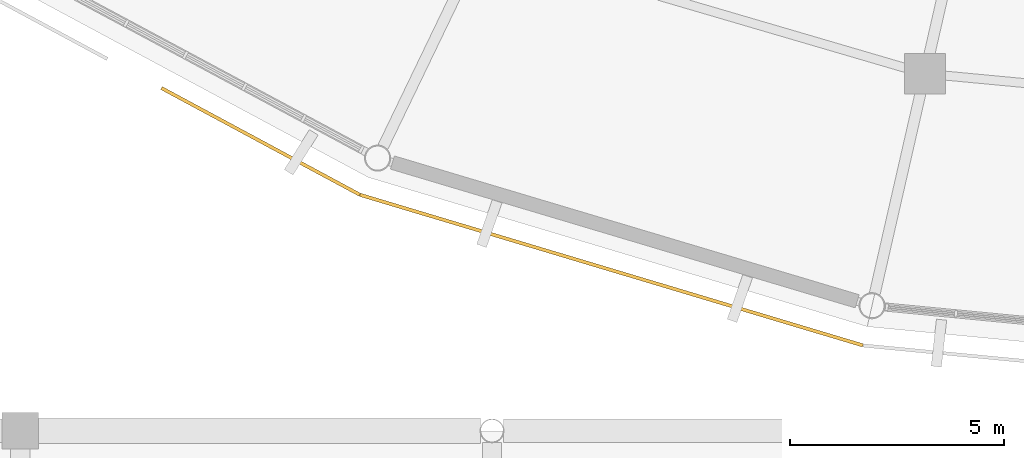
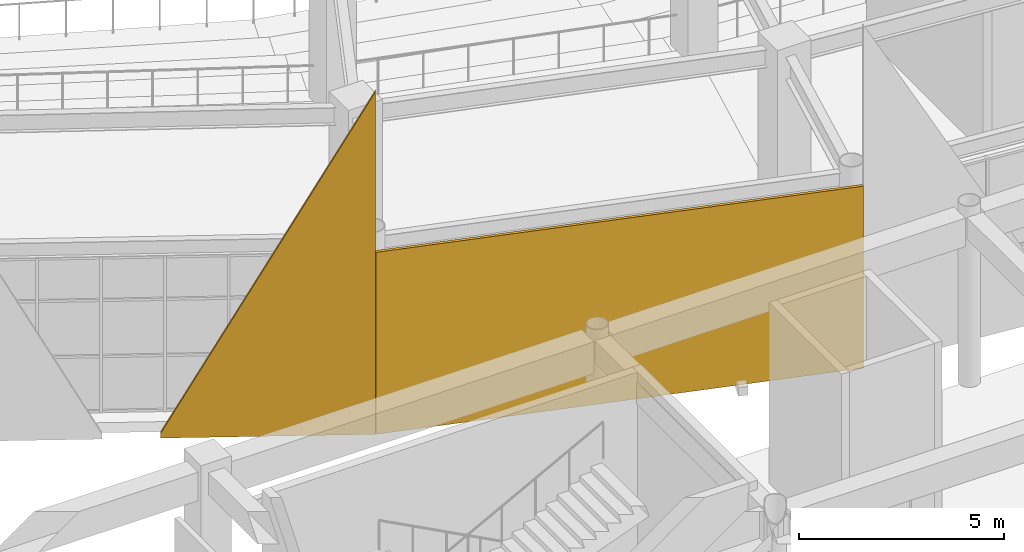
# One storey, part 93 of 120: 2 coverings.
"""IFC4 building model written with IfcOpenShell, lengths in metres."""

from ifc_helpers import new_model, si_unit, direction, frame, frame_2d, origin, place, context, subcontext, project, spatial, polyline, rectangle, outline, extrude, material, layer, layer_set, type_object, element, save


model = new_model("IFC4")

# Units and contexts
model_context = context("Model", 3, precision=1e-05, world=origin(), true_north=direction((0.0, 1.0)))
body_context = subcontext(model_context, "Body", "Model", "MODEL_VIEW")
ifc_project = project(units=[si_unit("LENGTHUNIT", "METRE"), si_unit("AREAUNIT", "SQUARE_METRE"), si_unit("VOLUMEUNIT", "CUBIC_METRE"), si_unit("PLANEANGLEUNIT", "RADIAN"), si_unit("MASSUNIT", "GRAM", prefix="KILO")], contexts=[model_context])

# Site, building, storey
site_placement = place(None, origin())
site = spatial("IfcSite", under=ifc_project, at=site_placement, CompositionType="ELEMENT")
building_placement = place(site_placement, origin())
building = spatial("IfcBuilding", under=site, at=building_placement, Name="Cuetzalor Civic Arena", CompositionType="ELEMENT")
storey_placement = place(building_placement, frame((0.0, 0.0, 6.0)))
storey = spatial("IfcBuildingStorey", under=building, at=storey_placement, Name="L01", CompositionType="ELEMENT", Elevation=6.0)

# Coverings
ifc_material = material(Name="Terracotta-red perforated anodised aluminium panel", Category="masonry")
ifc_layer = layer(ifc_material, 0.080078125)
ifc_layer_set = layer_set([ifc_layer], Name="Terracotta-red perforated anodised aluminium panel")
covering_type = type_object("IfcCoveringType", Name="TerracottaPerforatedScreenPanel", PredefinedType="CLADDING", material=ifc_layer_set)
covering_1_placement = place(storey_placement, frame((-24.08056640625, -42.7958984375, -0.14990234375), z_axis=(0.0, 0.0, 1.0), x_axis=(-0.880721493642, 0.473634511661, 0.0)))
element("IfcCovering", 1, at=covering_1_placement, inside=storey, type_object=covering_type, Name="Terracotta Perforated Triangle Cheek Left S19", PredefinedType="CLADDING", context=body_context, shape_type="SweptSolid", body=[
    extrude(outline(polyline([(0.0, 0.0), (5.257080078125, 0.0), (5.25732421875, 0.139892578125), (0.0, 10.22998046875), (0.0, 0.0)])), frame((0.0, 0.0400390625, 0.0), z_axis=(0.0, -1.0, 0.0), x_axis=(1.0, 0.0, 0.0)), (0.0, 0.0, 1.0), 0.080078125),
])
covering_2_placement = place(storey_placement, frame((-12.349853515625, -46.30908203125, -0.14990234375), z_axis=(0.0, 0.0, 1.0), x_axis=(-0.957961714935, 0.286896066056, 0.0)))
element("IfcCovering", 2, at=covering_2_placement, inside=storey, type_object=covering_type, Name="Terracotta Perforated Drum Screen L01-S20", PredefinedType="CLADDING", context=body_context, shape_type="SweptSolid", body=[
    extrude(rectangle(XDim=12.24560546875, YDim=0.080078125, at=frame_2d((6.122802734375, 0.0))), origin(), (0.0, 0.0, 1.0), 5.429931640625),
])

save(model, "model.ifc")
